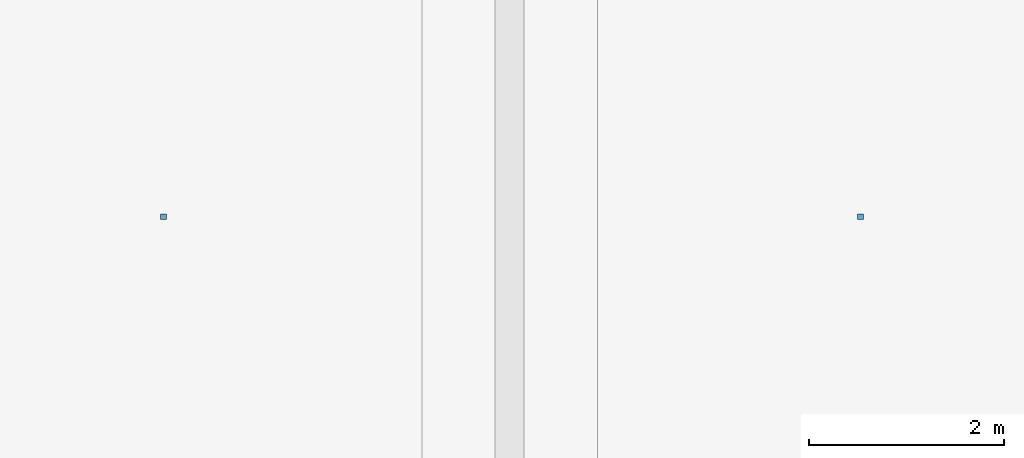
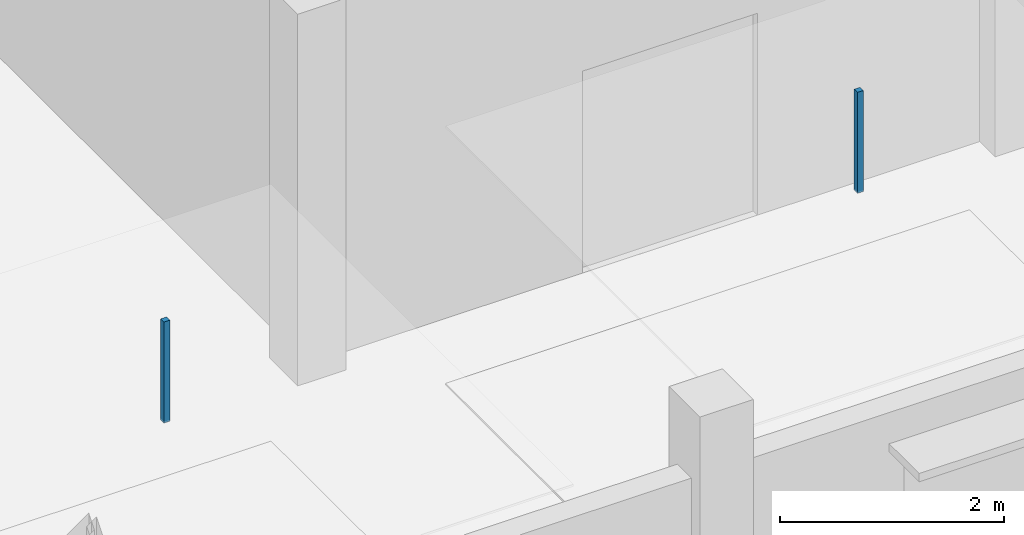
# One storey, part 12 of 15: 2 discrete accessories.
"""IFC4 building model written with IfcOpenShell, lengths in metres."""

from ifc_helpers import new_model, si_unit, direction, frame, origin, origin_2d, place, context, subcontext, project, spatial, rectangle, extrude, material, type_object, element, save


model = new_model("IFC4")

# Units and contexts
model_context = context("Model", 3, precision=1e-05, world=origin(), true_north=direction((0.0, 1.0)))
body_context = subcontext(model_context, "Body", "Model", "MODEL_VIEW")
ifc_project = project(units=[si_unit("LENGTHUNIT", "METRE"), si_unit("AREAUNIT", "SQUARE_METRE"), si_unit("VOLUMEUNIT", "CUBIC_METRE"), si_unit("PLANEANGLEUNIT", "RADIAN"), si_unit("MASSUNIT", "GRAM", prefix="KILO")], contexts=[model_context])

# Site, building, storey
site_placement = place(None, origin())
site = spatial("IfcSite", under=ifc_project, at=site_placement, CompositionType="ELEMENT")
building_placement = place(site_placement, origin())
building = spatial("IfcBuilding", under=site, at=building_placement, Name="Kangsadwip Square Police Headquarters", CompositionType="ELEMENT")
storey_placement = place(building_placement, frame((0.0, 0.0, 29.699951171875)))
storey = spatial("IfcBuildingStorey", under=building, at=storey_placement, Name="L07", CompositionType="ELEMENT", Elevation=29.699951171875)

# Discrete accessories
ifc_material = material(Name="Structural steel IS 2062 E350 (Grade 350, 350 MPa)", Category="steel")
discrete_accessory_type = type_object("IfcDiscreteAccessoryType", Name="VeilOutriggerBracket", PredefinedType="BRACKET", material=ifc_material)
for number, where, z_axis, x_axis, name in (
    (1, (3.64990234375, 39.60009765625, 2.81005859375), (0.0, 0.0, 1.0), (1.0, 0.0, 0.0), "Ceiling Suspension Hanger L07-162"),
    (2, (10.800048828125, 39.60009765625, 2.81005859375), (0.0, 0.0, 1.0), (1.0, 0.0, 0.0), "Ceiling Suspension Hanger L07-163"),
):
    element("IfcDiscreteAccessory", number, at=place(storey_placement, frame(where, z_axis=z_axis, x_axis=x_axis)), inside=storey, type_object=discrete_accessory_type, Name=name, PredefinedType="BRACKET", context=body_context, shape_type="SweptSolid", body=[
        extrude(rectangle(XDim=0.06005859375, YDim=0.06005859375, at=origin_2d()), origin(), (0.0, 0.0, 1.0), 1.10009765625),
    ])

save(model, "model.ifc")
